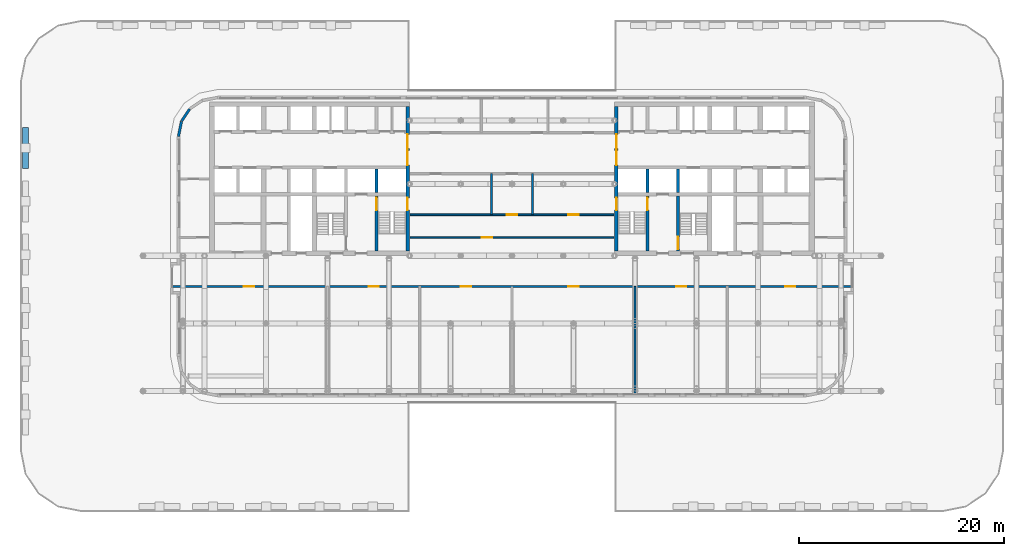
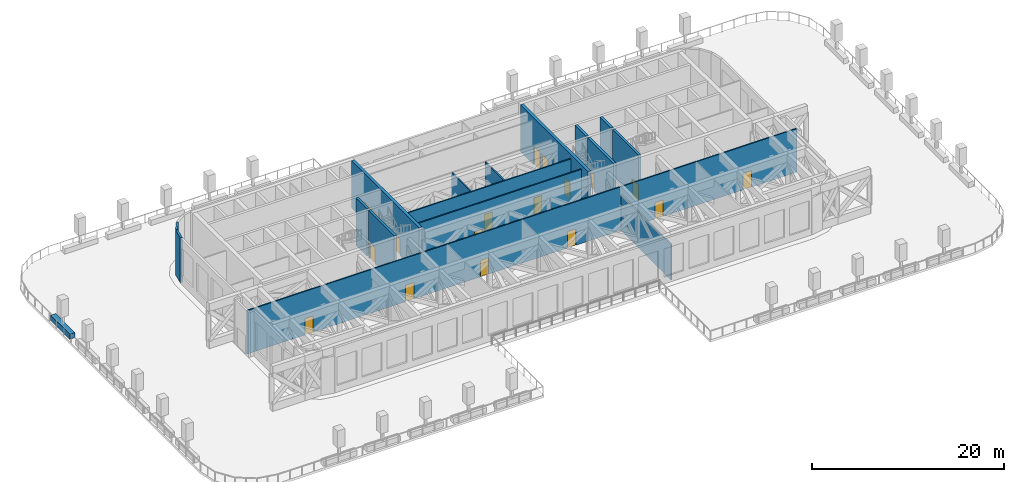
# One storey, part 11 of 20: 18 doors, 17 walls, 18 openings.
"""IFC4 building model written with IfcOpenShell, lengths in metres."""

import ifcopenshell
import ifcopenshell.guid

model = None  # the IFC model being written
_history = None  # IfcOwnerHistory: only IFC2X3 demands one
_inside = {}  # id of a spatial element -> (the spatial element, [elements in it])
_under = {}  # id of a project, library or spatial element -> (it, [spatial elements below it])
_declared = {}  # id of a project -> (the project, [libraries it declares])
_typed = {}  # id of a type object -> (the type object, [elements of that type])
_made_of = {}  # id of a material, layer set ... -> (it, [elements and type objects made of it])


def new_model(schema):
    """Start an empty IFC model of exactly this schema.

    Asked for "IFC4X3", IfcOpenShell would pick the latest addendum, in which some entities
    have other attributes; the version numbers below select the first issue.
    IFC2X3 requires an IfcOwnerHistory on every rooted entity: one is made here for all.
    """
    global model, _history
    if schema == "IFC4X3":
        model = ifcopenshell.file(schema_version=(4, 3, 0, 0))
    else:
        model = ifcopenshell.file(schema=schema)
    _inside.clear()
    _under.clear()
    _declared.clear()
    _typed.clear()
    _made_of.clear()
    _history = None
    if model.schema == "IFC2X3":
        org = make("IfcOrganization", Name="unknown")
        user = make(
            "IfcPersonAndOrganization",
            ThePerson=make("IfcPerson", FamilyName="unknown"),
            TheOrganization=org,
        )
        app = make(
            "IfcApplication",
            ApplicationDeveloper=org,
            Version="unknown",
            ApplicationFullName="unknown",
            ApplicationIdentifier="unknown",
        )
        _history = make(
            "IfcOwnerHistory",
            OwningUser=user,
            OwningApplication=app,
            ChangeAction="ADDED",
            CreationDate=0,
        )
    return model


def make(cls, **values):
    """One entity of the class cls with the attributes given. An attribute that is None is left unset."""
    return model.create_entity(
        cls, **{name: value for name, value in values.items() if value is not None}
    )


def rooted(cls, **values):
    """An entity with a GlobalId (a new one), such as an element, a storey or a relation."""
    return make(cls, GlobalId=ifcopenshell.guid.new(), OwnerHistory=_history, **values)


def si_unit(unit_type, name, prefix=None):
    """IfcSIUnit, for example si_unit("LENGTHUNIT", "METRE", prefix="MILLI")."""
    return make("IfcSIUnit", UnitType=unit_type, Prefix=prefix, Name=name)


def assignment(units):
    """IfcUnitAssignment: the units of a project."""
    return None if units is None else make("IfcUnitAssignment", Units=units)


def point(xyz):
    """IfcCartesianPoint."""
    return None if xyz is None else make("IfcCartesianPoint", Coordinates=xyz)


def direction(xyz):
    """IfcDirection."""
    return None if xyz is None else make("IfcDirection", DirectionRatios=xyz)


def frame(location, z_axis=None, x_axis=None):
    """IfcAxis2Placement3D, a coordinate frame: its origin and axes. An axis left out is left unset."""
    return make(
        "IfcAxis2Placement3D",
        Location=point(location),
        Axis=direction(z_axis),
        RefDirection=direction(x_axis),
    )


def frame_2d(location, x_axis=None):
    """IfcAxis2Placement2D, a coordinate frame in the plane: its origin and x axis."""
    return make(
        "IfcAxis2Placement2D", Location=point(location), RefDirection=direction(x_axis)
    )


def origin():
    """The frame at (0, 0, 0) with its axes left unset."""
    return frame((0.0, 0.0, 0.0))


def place(relative_to, where):
    """IfcLocalPlacement: puts the frame where relative to a parent placement (None: the world)."""
    return make(
        "IfcLocalPlacement", PlacementRelTo=relative_to, RelativePlacement=where
    )


def context(
    kind, dimensions, precision=None, world=None, true_north=None, identifier=None
):
    """IfcGeometricRepresentationContext, for example the 3D "Model" context."""
    return make(
        "IfcGeometricRepresentationContext",
        ContextIdentifier=identifier,
        ContextType=kind,
        CoordinateSpaceDimension=dimensions,
        Precision=precision,
        WorldCoordinateSystem=world,
        TrueNorth=true_north,
    )


def subcontext(parent, identifier, kind, view, scale=None):
    """IfcGeometricRepresentationSubContext, for example "Body" below "Model"."""
    return make(
        "IfcGeometricRepresentationSubContext",
        ContextIdentifier=identifier,
        ContextType=kind,
        ParentContext=parent,
        TargetScale=scale,
        TargetView=view,
    )


def project(units=None, contexts=None):
    """IfcProject with its units and contexts."""
    return rooted(
        "IfcProject",
        Name="project",
        RepresentationContexts=contexts,
        UnitsInContext=assignment(units),
    )


def spatial(cls, under=None, at=None, **own):
    """A site, building, storey or space (cls), placed at a placement, below another one or the project."""
    s = rooted(cls, ObjectPlacement=at, **own)
    if under is not None:
        _under.setdefault(under.id(), (under, []))[1].append(s)
    return s


def profile(cls, at=None, kind="AREA", **sizes):
    """A parametric profile (cls). Its sizes go by their IFC names, for example OverallWidth=200.0."""
    return make(cls, ProfileType=kind, Position=at, **sizes)


def rectangle(**sizes):
    """IfcRectangleProfileDef."""
    return profile("IfcRectangleProfileDef", **sizes)


def extrude(swept, where, along, depth):
    """IfcExtrudedAreaSolid: the profile swept, set in the frame where, extruded along a direction by depth."""
    return make(
        "IfcExtrudedAreaSolid",
        SweptArea=swept,
        Position=where,
        ExtrudedDirection=direction(along),
        Depth=depth,
    )


def shape(context_of_items, identifier, shape_type, items):
    """IfcShapeRepresentation: the items that make up one representation, for example the "Body"."""
    return make(
        "IfcShapeRepresentation",
        ContextOfItems=context_of_items,
        RepresentationIdentifier=identifier,
        RepresentationType=shape_type,
        Items=items,
    )


def material(Name=None, Category=None):
    """IfcMaterial."""
    return make("IfcMaterial", Name=Name, Category=Category)


def layer(
    of_material, thickness, ventilated=None, Name=None, Category=None, Priority=None
):
    """IfcMaterialLayer: one layer of a wall or slab, of a material (None: an air gap)."""
    return make(
        "IfcMaterialLayer",
        Material=of_material,
        LayerThickness=thickness,
        IsVentilated=ventilated,
        Name=Name,
        Category=Category,
        Priority=Priority,
    )


def layer_set(layers, Name=None):
    """IfcMaterialLayerSet."""
    return make("IfcMaterialLayerSet", MaterialLayers=layers, LayerSetName=Name)


def made_of(thing, what):
    """Note that an element or type object is made of a material, layer set ...; save() writes the relation."""
    if what is not None:
        _made_of.setdefault(what.id(), (what, []))[1].append(thing)
    return thing


def type_object(cls, material=None, **own):
    """A type object (cls), such as IfcWallType, which elements share."""
    return made_of(rooted(cls, **own), material)


def element(
    cls,
    number,
    at=None,
    inside=None,
    cuts=None,
    type_object=None,
    material=None,
    context=None,
    identifier="Body",
    shape_type=None,
    held_by="IfcProductDefinitionShape",
    body=None,
    shapes=None,
    **own,
):
    """One element of the class cls, such as IfcWall. Its Tag is "e" and its number.

    at: its placement. inside: the storey or other place that contains it. cuts: it is an
    opening in that element (IfcRelVoidsElement). A single representation is given by context,
    identifier, shape_type and body (its items); several are given by shapes. held_by: the class
    of the entity that holds the representations. save() writes the other relations.
    """
    e = rooted(cls, Tag="e%d" % number, ObjectPlacement=at, **own)
    if body is not None:
        shapes = [shape(context, identifier, shape_type, body)]
    if shapes is not None:
        e.Representation = make(held_by, Representations=shapes)
    if inside is not None:
        _inside.setdefault(inside.id(), (inside, []))[1].append(e)
    if cuts is not None:
        rooted(
            "IfcRelVoidsElement", RelatingBuildingElement=cuts, RelatedOpeningElement=e
        )
    if type_object is not None:
        _typed.setdefault(type_object.id(), (type_object, []))[1].append(e)
    return made_of(e, material)


def fill(opening, filler):
    """IfcRelFillsElement: the door or window that sits in an opening."""
    return rooted(
        "IfcRelFillsElement",
        RelatingOpeningElement=opening,
        RelatedBuildingElement=filler,
    )


def aggregate(whole, parts):
    """IfcRelAggregates: a whole, such as a stair, and the parts it consists of."""
    return rooted("IfcRelAggregates", RelatingObject=whole, RelatedObjects=parts)


def save(model, path):
    """Write the relations noted so far, then the file.

    IfcRelAggregates (storeys below a building ...), IfcRelContainedInSpatialStructure (elements
    in a storey), IfcRelDefinesByType, IfcRelAssociatesMaterial and IfcRelDeclares: one each for
    every whole, place, type object, material and project.
    """
    for whole, parts in _under.values():
        aggregate(whole, parts)
    for where, things in _inside.values():
        rooted(
            "IfcRelContainedInSpatialStructure",
            RelatedElements=things,
            RelatingStructure=where,
        )
    for kind, things in _typed.values():
        rooted("IfcRelDefinesByType", RelatedObjects=things, RelatingType=kind)
    for what, things in _made_of.values():
        rooted("IfcRelAssociatesMaterial", RelatedObjects=things, RelatingMaterial=what)
    for by, libraries in _declared.values():
        rooted("IfcRelDeclares", RelatingContext=by, RelatedDefinitions=libraries)
    model.write(path)


model = new_model("IFC4")

# Units and contexts
model_context = context("Model", 3, precision=1e-05, world=origin(), true_north=direction((0.0, 1.0)))
body_context = subcontext(model_context, "Body", "Model", "MODEL_VIEW")
ifc_project = project(units=[si_unit("LENGTHUNIT", "METRE"), si_unit("AREAUNIT", "SQUARE_METRE"), si_unit("VOLUMEUNIT", "CUBIC_METRE"), si_unit("PLANEANGLEUNIT", "RADIAN"), si_unit("MASSUNIT", "GRAM", prefix="KILO")], contexts=[model_context])

# Site, building, storey
site_placement = place(None, origin())
site = spatial("IfcSite", under=ifc_project, at=site_placement, CompositionType="ELEMENT")
building_placement = place(site_placement, origin())
building = spatial("IfcBuilding", under=site, at=building_placement, Name="Torana Hotel and Residences", CompositionType="ELEMENT")
storey_placement = place(building_placement, frame((0.0, 0.0, 18.0)))
storey = spatial("IfcBuildingStorey", under=building, at=storey_placement, Name="L03", CompositionType="ELEMENT", Elevation=18.0)

# Wall
ifc_material_1 = material(Name="Concrete C80/95", Category="concrete")
ifc_layer_1 = layer(ifc_material_1, 0.300048828125)
ifc_layer_set_1 = layer_set([ifc_layer_1], Name="CORE WALL 300 C80/95")
wall_type_1 = type_object("IfcWallType", Name="CORE WALL 300 C80/95", PredefinedType="SHEAR", material=ifc_layer_set_1)
wall_1_placement = place(storey_placement, frame((-13.199951171875, -8.85009765625, 0.0), z_axis=(0.0, 0.0, 1.0), x_axis=(0.0, 1.0, 0.0)))
element("IfcWall", 1, at=wall_1_placement, inside=storey, type_object=wall_type_1, Name="Core wall W x3.05-S", PredefinedType="SHEAR", context=body_context, shape_type="SweptSolid", body=[
    extrude(rectangle(XDim=2.300048828125, YDim=0.300048828125, at=frame_2d((1.14990234375, 0.0))), origin(), (0.0, 0.0, 1.0), 6.0),
])

# Wall, opening, door
wall_2_placement = place(storey_placement, frame((-13.199951171875, -14.550048828125, 0.0), z_axis=(0.0, 0.0, 1.0), x_axis=(0.0, 1.0, 0.0)))
wall_2 = element("IfcWall", 2, at=wall_2_placement, inside=storey, type_object=wall_type_1, Name="Core wall W x3.05-band", PredefinedType="SHEAR", context=body_context, shape_type="SweptSolid", body=[
    extrude(rectangle(XDim=5.400146484375, YDim=0.300048828125, at=frame_2d((2.7001953125, 0.0))), origin(), (0.0, 0.0, 1.0), 6.0),
])
opening_1_placement = place(wall_2_placement, frame((4.0, 0.0, 0.0)))
opening_1 = element("IfcOpeningElement", 3, at=opening_1_placement, cuts=wall_2, Name="Opening L03-16", PredefinedType="OPENING", context=body_context, shape_type="SweptSolid", body=[
    extrude(rectangle(XDim=1.199951171875, YDim=2.10009765625, at=frame_2d((0.60009765625, 1.050048828125))), frame((0.0, 0.159912109375, 0.0), z_axis=(0.0, -1.0, 0.0), x_axis=(1.0, 0.0, 0.0)), (0.0, 0.0, 1.0), 0.320068359375),
])
ifc_material_2 = material(Name="Steel S235", Category="steel")
door_type_1 = type_object("IfcDoorType", Name="STAIR FIRE DOOR D3 1200x2100", OperationType="SINGLE_SWING_LEFT", PredefinedType="DOOR", material=ifc_material_2)
door_1_placement = place(opening_1_placement, frame((0.60009765625, 0.0, 0.0), z_axis=(0.0, 0.0, 1.0), x_axis=(-1.0, 0.0, 0.0)))
door_1 = element("IfcDoor", 4, at=door_1_placement, inside=storey, type_object=door_type_1, Name="Stair-A-lobby door L03", OperationType="SINGLE_SWING_RIGHT", OverallHeight=2.10009765625, OverallWidth=1.199951171875, PredefinedType="DOOR", context=body_context, shape_type="SweptSolid", body=[
    extrude(rectangle(XDim=1.199951171875, YDim=2.10009765625, at=frame_2d((0.0, 1.050048828125))), frame((0.0, -0.02490234375, 0.0), z_axis=(0.0, 1.0, 0.0), x_axis=(-1.0, 0.0, 0.0)), (0.0, 0.0, 1.0), 0.050048828125),
])
fill(opening_1, door_1)

# Wall
wall_3_placement = place(storey_placement, frame((13.199951171875, -8.85009765625, 0.0), z_axis=(0.0, 0.0, 1.0), x_axis=(0.0, 1.0, 0.0)))
element("IfcWall", 5, at=wall_3_placement, inside=storey, type_object=wall_type_1, Name="Core wall E x3.05-S", PredefinedType="SHEAR", context=body_context, shape_type="SweptSolid", body=[
    extrude(rectangle(XDim=2.300048828125, YDim=0.300048828125, at=frame_2d((1.14990234375, 0.0))), origin(), (0.0, 0.0, 1.0), 6.0),
])

# Wall, opening, door
wall_4_placement = place(storey_placement, frame((13.199951171875, -14.550048828125, 0.0), z_axis=(0.0, 0.0, 1.0), x_axis=(0.0, 1.0, 0.0)))
wall_4 = element("IfcWall", 6, at=wall_4_placement, inside=storey, type_object=wall_type_1, Name="Core wall E x3.05-band", PredefinedType="SHEAR", context=body_context, shape_type="SweptSolid", body=[
    extrude(rectangle(XDim=5.400146484375, YDim=0.300048828125, at=frame_2d((2.7001953125, 0.0))), origin(), (0.0, 0.0, 1.0), 6.0),
])
opening_2_placement = place(wall_4_placement, frame((4.0, 0.0, 0.0)))
opening_2 = element("IfcOpeningElement", 7, at=opening_2_placement, cuts=wall_4, Name="Opening L03-33", PredefinedType="OPENING", context=body_context, shape_type="SweptSolid", body=[
    extrude(rectangle(XDim=1.199951171875, YDim=2.10009765625, at=frame_2d((0.60009765625, 1.050048828125))), frame((0.0, 0.159912109375, 0.0), z_axis=(0.0, -1.0, 0.0), x_axis=(1.0, 0.0, 0.0)), (0.0, 0.0, 1.0), 0.320068359375),
])
door_2_placement = place(opening_2_placement, origin())
door_2 = element("IfcDoor", 8, at=door_2_placement, inside=storey, type_object=door_type_1, Name="Stair-A-lobby door L03", OperationType="SINGLE_SWING_LEFT", OverallHeight=2.10009765625, OverallWidth=1.199951171875, PredefinedType="DOOR", context=body_context, shape_type="SweptSolid", body=[
    extrude(rectangle(XDim=1.199951171875, YDim=2.10009765625, at=frame_2d((0.60009765625, 1.050048828125))), frame((0.0, 0.02490234375, 0.0), z_axis=(0.0, -1.0, 0.0), x_axis=(1.0, 0.0, 0.0)), (0.0, 0.0, 1.0), 0.050048828125),
])
fill(opening_2, door_2)

# Wall
wall_5_placement = place(storey_placement, frame((16.199951171875, -8.85009765625, 0.0), z_axis=(0.0, 0.0, 1.0), x_axis=(0.0, 1.0, 0.0)))
element("IfcWall", 9, at=wall_5_placement, inside=storey, type_object=wall_type_1, Name="Core wall E x6.05-S", PredefinedType="SHEAR", context=body_context, shape_type="SweptSolid", body=[
    extrude(rectangle(XDim=2.300048828125, YDim=0.300048828125, at=frame_2d((1.14990234375, 0.0))), origin(), (0.0, 0.0, 1.0), 6.0),
])

# Wall, opening, door
wall_6_placement = place(storey_placement, frame((16.199951171875, -14.550048828125, 0.0), z_axis=(0.0, 0.0, 1.0), x_axis=(0.0, 1.0, 0.0)))
wall_6 = element("IfcWall", 10, at=wall_6_placement, inside=storey, type_object=wall_type_1, Name="Core wall E x6.05-band", PredefinedType="SHEAR", context=body_context, shape_type="SweptSolid", body=[
    extrude(rectangle(XDim=5.400146484375, YDim=0.300048828125, at=frame_2d((2.7001953125, 0.0))), origin(), (0.0, 0.0, 1.0), 6.0),
])
opening_3_placement = place(wall_6_placement, frame((0.199951171875, 0.0, 0.0)))
opening_3 = element("IfcOpeningElement", 11, at=opening_3_placement, cuts=wall_6, Name="Opening L03-34", PredefinedType="OPENING", context=body_context, shape_type="SweptSolid", body=[
    extrude(rectangle(XDim=1.199951171875, YDim=2.10009765625, at=frame_2d((0.60009765625, 1.050048828125))), frame((0.0, 0.159912109375, 0.0), z_axis=(0.0, -1.0, 0.0), x_axis=(1.0, 0.0, 0.0)), (0.0, 0.0, 1.0), 0.320068359375),
])
door_3_placement = place(opening_3_placement, frame((0.60009765625, 0.0, 0.0), z_axis=(0.0, 0.0, 1.0), x_axis=(-1.0, 0.0, 0.0)))
door_3 = element("IfcDoor", 12, at=door_3_placement, inside=storey, type_object=door_type_1, Name="Stair-B-lobby door L03", OperationType="SINGLE_SWING_LEFT", OverallHeight=2.10009765625, OverallWidth=1.199951171875, PredefinedType="DOOR", context=body_context, shape_type="SweptSolid", body=[
    extrude(rectangle(XDim=1.199951171875, YDim=2.10009765625, at=frame_2d((0.0, 1.050048828125))), frame((0.0, -0.02490234375, 0.0), z_axis=(0.0, 1.0, 0.0), x_axis=(-1.0, 0.0, 0.0)), (0.0, 0.0, 1.0), 0.050048828125),
])
fill(opening_3, door_3)

# Wall, openings, doors
ifc_material_3 = material(Name="Concrete C80/95", Category="concrete")
ifc_layer_2 = layer(ifc_material_3, 0.35009765625)
ifc_layer_set_2 = layer_set([ifc_layer_2], Name="CORE WALL 350 C80/95")
wall_type_2 = type_object("IfcWallType", Name="CORE WALL 350 C80/95", PredefinedType="SHEAR", material=ifc_layer_set_2)
wall_7_placement = place(storey_placement, frame((-10.175048828125, -14.550048828125, 0.0), z_axis=(0.0, 0.0, 1.0), x_axis=(0.0, 1.0, 0.0)))
wall_7 = element("IfcWall", 13, at=wall_7_placement, inside=storey, type_object=wall_type_2, Name="Core wall W arch", PredefinedType="SHEAR", context=body_context, shape_type="SweptSolid", body=[
    extrude(rectangle(XDim=14.10009765625, YDim=0.35009765625, at=frame_2d((7.050048828125, 0.0))), origin(), (0.0, 0.0, 1.0), 6.0),
])
opening_4_placement = place(wall_7_placement, frame((8.39990234375, 0.0, 0.0)))
opening_4 = element("IfcOpeningElement", 14, at=opening_4_placement, cuts=wall_7, Name="Opening L03-01", PredefinedType="OPENING", context=body_context, shape_type="SweptSolid", body=[
    extrude(rectangle(XDim=1.39990234375, YDim=2.39990234375, at=frame_2d((0.699951171875, 1.199951171875))), frame((0.0, 0.18505859375, 0.0), z_axis=(0.0, -1.0, 0.0), x_axis=(1.0, 0.0, 0.0)), (0.0, 0.0, 1.0), 0.3701171875),
])
opening_5_placement = place(wall_7_placement, frame((10.0, 0.0, 0.0)))
opening_5 = element("IfcOpeningElement", 15, at=opening_5_placement, cuts=wall_7, Name="Opening L03-02", PredefinedType="OPENING", context=body_context, shape_type="SweptSolid", body=[
    extrude(rectangle(XDim=1.39990234375, YDim=2.39990234375, at=frame_2d((0.699951171875, 1.199951171875))), frame((0.0, 0.18505859375, 0.0), z_axis=(0.0, -1.0, 0.0), x_axis=(1.0, 0.0, 0.0)), (0.0, 0.0, 1.0), 0.3701171875),
])
opening_6_placement = place(wall_7_placement, frame((4.0, 0.0, 0.0)))
opening_6 = element("IfcOpeningElement", 16, at=opening_6_placement, cuts=wall_7, Name="Opening L03-03", PredefinedType="OPENING", context=body_context, shape_type="SweptSolid", body=[
    extrude(rectangle(XDim=1.199951171875, YDim=2.10009765625, at=frame_2d((0.60009765625, 1.050048828125))), frame((0.0, 0.18505859375, 0.0), z_axis=(0.0, -1.0, 0.0), x_axis=(1.0, 0.0, 0.0)), (0.0, 0.0, 1.0), 0.3701171875),
])
ifc_material_4 = material(Name="Steel S235", Category="steel")
door_type_2 = type_object("IfcDoorType", Name="LOBBY FIRE DOOR D4 1400x2400", OperationType="DOUBLE_DOOR_SINGLE_SWING", PredefinedType="DOOR", material=ifc_material_4)
door_4_placement = place(opening_4_placement, origin())
door_4 = element("IfcDoor", 17, at=door_4_placement, inside=storey, type_object=door_type_2, Name="Lobby-1 door L03", OperationType="DOUBLE_DOOR_SINGLE_SWING", OverallHeight=2.39990234375, OverallWidth=1.39990234375, PredefinedType="DOOR", context=body_context, shape_type="SweptSolid", body=[
    extrude(rectangle(XDim=1.39990234375, YDim=2.39990234375, at=frame_2d((0.699951171875, 1.199951171875))), frame((0.0, 0.02490234375, 0.0), z_axis=(0.0, -1.0, 0.0), x_axis=(1.0, 0.0, 0.0)), (0.0, 0.0, 1.0), 0.050048828125),
])
fill(opening_4, door_4)
door_5_placement = place(opening_5_placement, origin())
door_5 = element("IfcDoor", 18, at=door_5_placement, inside=storey, type_object=door_type_2, Name="Lobby-2 door L03", OperationType="DOUBLE_DOOR_SINGLE_SWING", OverallHeight=2.39990234375, OverallWidth=1.39990234375, PredefinedType="DOOR", context=body_context, shape_type="SweptSolid", body=[
    extrude(rectangle(XDim=1.39990234375, YDim=2.39990234375, at=frame_2d((0.699951171875, 1.199951171875))), frame((0.0, 0.02490234375, 0.0), z_axis=(0.0, -1.0, 0.0), x_axis=(1.0, 0.0, 0.0)), (0.0, 0.0, 1.0), 0.050048828125),
])
fill(opening_5, door_5)
door_6_placement = place(opening_6_placement, origin())
door_6 = element("IfcDoor", 19, at=door_6_placement, inside=storey, type_object=door_type_1, Name="Stair-A door L03", OperationType="SINGLE_SWING_LEFT", OverallHeight=2.10009765625, OverallWidth=1.199951171875, PredefinedType="DOOR", context=body_context, shape_type="SweptSolid", body=[
    extrude(rectangle(XDim=1.199951171875, YDim=2.10009765625, at=frame_2d((0.60009765625, 1.050048828125))), frame((0.0, 0.02490234375, 0.0), z_axis=(0.0, -1.0, 0.0), x_axis=(1.0, 0.0, 0.0)), (0.0, 0.0, 1.0), 0.050048828125),
])
fill(opening_6, door_6)

wall_8_placement = place(storey_placement, frame((10.175048828125, -14.550048828125, 0.0), z_axis=(0.0, 0.0, 1.0), x_axis=(0.0, 1.0, 0.0)))
wall_8 = element("IfcWall", 20, at=wall_8_placement, inside=storey, type_object=wall_type_2, Name="Core wall E arch", PredefinedType="SHEAR", context=body_context, shape_type="SweptSolid", body=[
    extrude(rectangle(XDim=14.10009765625, YDim=0.35009765625, at=frame_2d((7.050048828125, 0.0))), origin(), (0.0, 0.0, 1.0), 6.0),
])
opening_7_placement = place(wall_8_placement, frame((8.39990234375, 0.0, 0.0)))
opening_7 = element("IfcOpeningElement", 21, at=opening_7_placement, cuts=wall_8, Name="Opening L03-18", PredefinedType="OPENING", context=body_context, shape_type="SweptSolid", body=[
    extrude(rectangle(XDim=1.39990234375, YDim=2.39990234375, at=frame_2d((0.699951171875, 1.199951171875))), frame((0.0, 0.18505859375, 0.0), z_axis=(0.0, -1.0, 0.0), x_axis=(1.0, 0.0, 0.0)), (0.0, 0.0, 1.0), 0.3701171875),
])
opening_8_placement = place(wall_8_placement, frame((10.0, 0.0, 0.0)))
opening_8 = element("IfcOpeningElement", 22, at=opening_8_placement, cuts=wall_8, Name="Opening L03-19", PredefinedType="OPENING", context=body_context, shape_type="SweptSolid", body=[
    extrude(rectangle(XDim=1.39990234375, YDim=2.39990234375, at=frame_2d((0.699951171875, 1.199951171875))), frame((0.0, 0.18505859375, 0.0), z_axis=(0.0, -1.0, 0.0), x_axis=(1.0, 0.0, 0.0)), (0.0, 0.0, 1.0), 0.3701171875),
])
opening_9_placement = place(wall_8_placement, frame((4.0, 0.0, 0.0)))
opening_9 = element("IfcOpeningElement", 23, at=opening_9_placement, cuts=wall_8, Name="Opening L03-20", PredefinedType="OPENING", context=body_context, shape_type="SweptSolid", body=[
    extrude(rectangle(XDim=1.199951171875, YDim=2.10009765625, at=frame_2d((0.60009765625, 1.050048828125))), frame((0.0, 0.18505859375, 0.0), z_axis=(0.0, -1.0, 0.0), x_axis=(1.0, 0.0, 0.0)), (0.0, 0.0, 1.0), 0.3701171875),
])
door_7_placement = place(opening_7_placement, origin())
door_7 = element("IfcDoor", 24, at=door_7_placement, inside=storey, type_object=door_type_2, Name="Lobby-1 door L03", OperationType="DOUBLE_DOOR_SINGLE_SWING", OverallHeight=2.39990234375, OverallWidth=1.39990234375, PredefinedType="DOOR", context=body_context, shape_type="SweptSolid", body=[
    extrude(rectangle(XDim=1.39990234375, YDim=2.39990234375, at=frame_2d((0.699951171875, 1.199951171875))), frame((0.0, 0.02490234375, 0.0), z_axis=(0.0, -1.0, 0.0), x_axis=(1.0, 0.0, 0.0)), (0.0, 0.0, 1.0), 0.050048828125),
])
fill(opening_7, door_7)
door_8_placement = place(opening_8_placement, origin())
door_8 = element("IfcDoor", 25, at=door_8_placement, inside=storey, type_object=door_type_2, Name="Lobby-2 door L03", OperationType="DOUBLE_DOOR_SINGLE_SWING", OverallHeight=2.39990234375, OverallWidth=1.39990234375, PredefinedType="DOOR", context=body_context, shape_type="SweptSolid", body=[
    extrude(rectangle(XDim=1.39990234375, YDim=2.39990234375, at=frame_2d((0.699951171875, 1.199951171875))), frame((0.0, 0.02490234375, 0.0), z_axis=(0.0, -1.0, 0.0), x_axis=(1.0, 0.0, 0.0)), (0.0, 0.0, 1.0), 0.050048828125),
])
fill(opening_8, door_8)
door_9_placement = place(opening_9_placement, frame((0.60009765625, 0.0, 0.0), z_axis=(0.0, 0.0, 1.0), x_axis=(-1.0, 0.0, 0.0)))
door_9 = element("IfcDoor", 26, at=door_9_placement, inside=storey, type_object=door_type_1, Name="Stair-A door L03", OperationType="SINGLE_SWING_RIGHT", OverallHeight=2.10009765625, OverallWidth=1.199951171875, PredefinedType="DOOR", context=body_context, shape_type="SweptSolid", body=[
    extrude(rectangle(XDim=1.199951171875, YDim=2.10009765625, at=frame_2d((0.0, 1.050048828125))), frame((0.0, -0.02490234375, 0.0), z_axis=(0.0, 1.0, 0.0), x_axis=(-1.0, 0.0, 0.0)), (0.0, 0.0, 1.0), 0.050048828125),
])
fill(opening_9, door_9)

# Walls
ifc_material_5 = material(Name="Aluminium louvre wall", Category="aluminium")
ifc_layer_3 = layer(ifc_material_5, 0.25)
ifc_layer_set_3 = layer_set([ifc_layer_3], Name="EW3 LOUVRE WALL 250")
wall_type_3 = type_object("IfcWallType", Name="EW3 LOUVRE WALL 250", PredefinedType="SOLIDWALL", material=ifc_layer_set_3)
wall_9_placement = place(storey_placement, frame((-31.447265625, -0.687255859375, 0.0), z_axis=(0.0, 0.0, 1.0), x_axis=(-0.555543083115, -0.831487752648, 0.0)))
element("IfcWall", 27, at=wall_9_placement, inside=storey, type_object=wall_type_3, Name="Louvre wall L03 e0.7", PredefinedType="SOLIDWALL", context=body_context, shape_type="SweptSolid", body=[
    extrude(rectangle(XDim=1.4033203125, YDim=0.25, at=frame_2d((0.70166015625, 0.0))), origin(), (0.0, 0.0, 1.0), 5.719970703125),
])
wall_10_placement = place(storey_placement, frame((-32.24560546875, -1.899169921875, 0.0), z_axis=(0.0, 0.0, 1.0), x_axis=(-0.195014837095, -0.980800292268, 0.0)))
element("IfcWall", 28, at=wall_10_placement, inside=storey, type_object=wall_type_3, Name="Louvre wall L03 e0.8", PredefinedType="SOLIDWALL", context=body_context, shape_type="SweptSolid", body=[
    extrude(rectangle(XDim=1.4921875, YDim=0.25, at=frame_2d((0.74609375, 0.0))), origin(), (0.0, 0.0, 1.0), 5.719970703125),
])
ifc_material_6 = material(Name="Gypsum plaster")
ifc_layer_4 = layer(ifc_material_6, 0.014892578125, Name="Plaster", Category="finish")
ifc_material_7 = material(Name="Concrete blockwork", Category="masonry")
ifc_layer_5 = layer(ifc_material_7, 0.1201171875, Name="Blockwork", Category="structure")
ifc_layer_6 = layer(ifc_material_6, 0.014892578125, Name="Plaster", Category="finish")
ifc_layer_set_4 = layer_set([ifc_layer_4, ifc_layer_5, ifc_layer_6], Name="FIRE PARTITION 150 BLOCKWORK")
wall_type_4 = type_object("IfcWallType", Name="FIRE PARTITION 150 BLOCKWORK", PredefinedType="PARTITIONING", material=ifc_layer_set_4)
for number, where, z_axis, x_axis, name in (
    (29, (2.0, -11.0, 0.0), (0.0, 0.0, 1.0), (0.0, 1.0, 0.0), "Partition L03"),
    (30, (-2.0, -11.0, 0.0), (0.0, 0.0, 1.0), (0.0, 1.0, 0.0), "Partition L03"),
):
    element("IfcWall", number, at=place(storey_placement, frame(where, z_axis=z_axis, x_axis=x_axis)), inside=storey, type_object=wall_type_4, Name=name, PredefinedType="PARTITIONING", context=body_context, shape_type="SweptSolid", body=[
        extrude(rectangle(XDim=4.0, YDim=0.14990234375, at=frame_2d((2.0, 0.0))), origin(), (0.0, 0.0, 1.0), 5.550048828125),
    ])

# Wall, openings, doors
wall_11_placement = place(storey_placement, frame((-33.1201171875, -18.0, 0.0), z_axis=(0.0, 0.0, 1.0), x_axis=(1.0, 0.0, 0.0)))
wall_11 = element("IfcWall", 31, at=wall_11_placement, inside=storey, type_object=wall_type_4, Name="Partition L03", PredefinedType="PARTITIONING", context=body_context, shape_type="SweptSolid", body=[
    extrude(rectangle(XDim=66.240234375, YDim=0.14990234375, at=frame_2d((33.1201171875, 0.0))), origin(), (0.0, 0.0, 1.0), 5.550048828125),
])
opening_10_placement = place(wall_11_placement, frame((6.969970703125, 0.0, 0.0)))
opening_10 = element("IfcOpeningElement", 32, at=opening_10_placement, cuts=wall_11, Name="Opening L03-40", PredefinedType="OPENING", context=body_context, shape_type="SweptSolid", body=[
    extrude(rectangle(XDim=1.0, YDim=2.10009765625, at=frame_2d((0.5, 1.050048828125))), frame((0.0, 0.0849609375, 0.0), z_axis=(0.0, -1.0, 0.0), x_axis=(1.0, 0.0, 0.0)), (0.0, 0.0, 1.0), 0.169921875),
])
opening_11_placement = place(wall_11_placement, frame((19.1201171875, 0.0, 0.0)))
opening_11 = element("IfcOpeningElement", 33, at=opening_11_placement, cuts=wall_11, Name="Opening L03-41", PredefinedType="OPENING", context=body_context, shape_type="SweptSolid", body=[
    extrude(rectangle(XDim=1.0, YDim=2.10009765625, at=frame_2d((0.5, 1.050048828125))), frame((0.0, 0.0849609375, 0.0), z_axis=(0.0, -1.0, 0.0), x_axis=(1.0, 0.0, 0.0)), (0.0, 0.0, 1.0), 0.169921875),
])
opening_12_placement = place(wall_11_placement, frame((28.1201171875, 0.0, 0.0)))
opening_12 = element("IfcOpeningElement", 34, at=opening_12_placement, cuts=wall_11, Name="Opening L03-42", PredefinedType="OPENING", context=body_context, shape_type="SweptSolid", body=[
    extrude(rectangle(XDim=1.0, YDim=2.10009765625, at=frame_2d((0.5, 1.050048828125))), frame((0.0, 0.0849609375, 0.0), z_axis=(0.0, -1.0, 0.0), x_axis=(1.0, 0.0, 0.0)), (0.0, 0.0, 1.0), 0.169921875),
])
opening_13_placement = place(wall_11_placement, frame((38.6201171875, 0.0, 0.0)))
opening_13 = element("IfcOpeningElement", 35, at=opening_13_placement, cuts=wall_11, Name="Opening L03-43", PredefinedType="OPENING", context=body_context, shape_type="SweptSolid", body=[
    extrude(rectangle(XDim=1.0, YDim=2.10009765625, at=frame_2d((0.5, 1.050048828125))), frame((0.0, 0.0849609375, 0.0), z_axis=(0.0, -1.0, 0.0), x_axis=(1.0, 0.0, 0.0)), (0.0, 0.0, 1.0), 0.169921875),
])
opening_14_placement = place(wall_11_placement, frame((49.1201171875, 0.0, 0.0)))
opening_14 = element("IfcOpeningElement", 36, at=opening_14_placement, cuts=wall_11, Name="Opening L03-44", PredefinedType="OPENING", context=body_context, shape_type="SweptSolid", body=[
    extrude(rectangle(XDim=1.0, YDim=2.10009765625, at=frame_2d((0.5, 1.050048828125))), frame((0.0, 0.0849609375, 0.0), z_axis=(0.0, -1.0, 0.0), x_axis=(1.0, 0.0, 0.0)), (0.0, 0.0, 1.0), 0.169921875),
])
opening_15_placement = place(wall_11_placement, frame((59.77001953125, 0.0, 0.0)))
opening_15 = element("IfcOpeningElement", 37, at=opening_15_placement, cuts=wall_11, Name="Opening L03-45", PredefinedType="OPENING", context=body_context, shape_type="SweptSolid", body=[
    extrude(rectangle(XDim=1.0, YDim=2.10009765625, at=frame_2d((0.5, 1.050048828125))), frame((0.0, 0.0849609375, 0.0), z_axis=(0.0, -1.0, 0.0), x_axis=(1.0, 0.0, 0.0)), (0.0, 0.0, 1.0), 0.169921875),
])
ifc_material_8 = material(Name="Steel S235", Category="steel")
door_type_3 = type_object("IfcDoorType", Name="ENTRY FIRE DOOR D6 1000x2100", OperationType="SINGLE_SWING_LEFT", PredefinedType="DOOR", material=ifc_material_8)
door_10_placement = place(opening_10_placement, frame((0.5, 0.0, 0.0), z_axis=(0.0, 0.0, 1.0), x_axis=(-1.0, 0.0, 0.0)))
door_10 = element("IfcDoor", 38, at=door_10_placement, inside=storey, type_object=door_type_3, Name="Door L03", OperationType="SINGLE_SWING_LEFT", OverallHeight=2.10009765625, OverallWidth=1.0, PredefinedType="DOOR", context=body_context, shape_type="SweptSolid", body=[
    extrude(rectangle(XDim=1.0, YDim=2.10009765625, at=frame_2d((0.0, 1.050048828125))), frame((0.0, -0.02490234375, 0.0), z_axis=(0.0, 1.0, 0.0), x_axis=(-1.0, 0.0, 0.0)), (0.0, 0.0, 1.0), 0.050048828125),
])
fill(opening_10, door_10)
door_11_placement = place(opening_11_placement, frame((0.5, 0.0, 0.0), z_axis=(0.0, 0.0, 1.0), x_axis=(-1.0, 0.0, 0.0)))
door_11 = element("IfcDoor", 39, at=door_11_placement, inside=storey, type_object=door_type_3, Name="Door L03", OperationType="SINGLE_SWING_LEFT", OverallHeight=2.10009765625, OverallWidth=1.0, PredefinedType="DOOR", context=body_context, shape_type="SweptSolid", body=[
    extrude(rectangle(XDim=1.0, YDim=2.10009765625, at=frame_2d((0.0, 1.050048828125))), frame((0.0, -0.02490234375, 0.0), z_axis=(0.0, 1.0, 0.0), x_axis=(-1.0, 0.0, 0.0)), (0.0, 0.0, 1.0), 0.050048828125),
])
fill(opening_11, door_11)
door_12_placement = place(opening_12_placement, frame((0.5, 0.0, 0.0), z_axis=(0.0, 0.0, 1.0), x_axis=(-1.0, 0.0, 0.0)))
door_12 = element("IfcDoor", 40, at=door_12_placement, inside=storey, type_object=door_type_3, Name="Door L03", OperationType="SINGLE_SWING_LEFT", OverallHeight=2.10009765625, OverallWidth=1.0, PredefinedType="DOOR", context=body_context, shape_type="SweptSolid", body=[
    extrude(rectangle(XDim=1.0, YDim=2.10009765625, at=frame_2d((0.0, 1.050048828125))), frame((0.0, -0.02490234375, 0.0), z_axis=(0.0, 1.0, 0.0), x_axis=(-1.0, 0.0, 0.0)), (0.0, 0.0, 1.0), 0.050048828125),
])
fill(opening_12, door_12)
door_13_placement = place(opening_13_placement, frame((0.5, 0.0, 0.0), z_axis=(0.0, 0.0, 1.0), x_axis=(-1.0, 0.0, 0.0)))
door_13 = element("IfcDoor", 41, at=door_13_placement, inside=storey, type_object=door_type_3, Name="Door L03", OperationType="SINGLE_SWING_LEFT", OverallHeight=2.10009765625, OverallWidth=1.0, PredefinedType="DOOR", context=body_context, shape_type="SweptSolid", body=[
    extrude(rectangle(XDim=1.0, YDim=2.10009765625, at=frame_2d((0.0, 1.050048828125))), frame((0.0, -0.02490234375, 0.0), z_axis=(0.0, 1.0, 0.0), x_axis=(-1.0, 0.0, 0.0)), (0.0, 0.0, 1.0), 0.050048828125),
])
fill(opening_13, door_13)
door_14_placement = place(opening_14_placement, frame((0.5, 0.0, 0.0), z_axis=(0.0, 0.0, 1.0), x_axis=(-1.0, 0.0, 0.0)))
door_14 = element("IfcDoor", 42, at=door_14_placement, inside=storey, type_object=door_type_3, Name="Door L03", OperationType="SINGLE_SWING_LEFT", OverallHeight=2.10009765625, OverallWidth=1.0, PredefinedType="DOOR", context=body_context, shape_type="SweptSolid", body=[
    extrude(rectangle(XDim=1.0, YDim=2.10009765625, at=frame_2d((0.0, 1.050048828125))), frame((0.0, -0.02490234375, 0.0), z_axis=(0.0, 1.0, 0.0), x_axis=(-1.0, 0.0, 0.0)), (0.0, 0.0, 1.0), 0.050048828125),
])
fill(opening_14, door_14)
door_15_placement = place(opening_15_placement, frame((0.5, 0.0, 0.0), z_axis=(0.0, 0.0, 1.0), x_axis=(-1.0, 0.0, 0.0)))
door_15 = element("IfcDoor", 43, at=door_15_placement, inside=storey, type_object=door_type_3, Name="Door L03", OperationType="SINGLE_SWING_LEFT", OverallHeight=2.10009765625, OverallWidth=1.0, PredefinedType="DOOR", context=body_context, shape_type="SweptSolid", body=[
    extrude(rectangle(XDim=1.0, YDim=2.10009765625, at=frame_2d((0.0, 1.050048828125))), frame((0.0, -0.02490234375, 0.0), z_axis=(0.0, 1.0, 0.0), x_axis=(-1.0, 0.0, 0.0)), (0.0, 0.0, 1.0), 0.050048828125),
])
fill(opening_15, door_15)

# Wall, opening, door
wall_12_placement = place(storey_placement, frame((-9.949951171875, -13.199951171875, 0.0), z_axis=(0.0, 0.0, 1.0), x_axis=(1.0, 0.0, 0.0)))
wall_12 = element("IfcWall", 44, at=wall_12_placement, inside=storey, type_object=wall_type_4, Name="Partition L03", PredefinedType="PARTITIONING", context=body_context, shape_type="SweptSolid", body=[
    extrude(rectangle(XDim=19.89990234375, YDim=0.14990234375, at=frame_2d((9.949951171875, 0.0))), origin(), (0.0, 0.0, 1.0), 5.550048828125),
])
opening_16_placement = place(wall_12_placement, frame((7.0, 0.0, 0.0)))
opening_16 = element("IfcOpeningElement", 45, at=opening_16_placement, cuts=wall_12, Name="Opening L03-39", PredefinedType="OPENING", context=body_context, shape_type="SweptSolid", body=[
    extrude(rectangle(XDim=1.0, YDim=2.10009765625, at=frame_2d((0.5, 1.050048828125))), frame((0.0, 0.0849609375, 0.0), z_axis=(0.0, -1.0, 0.0), x_axis=(1.0, 0.0, 0.0)), (0.0, 0.0, 1.0), 0.169921875),
])
door_16_placement = place(opening_16_placement, origin())
door_16 = element("IfcDoor", 46, at=door_16_placement, inside=storey, type_object=door_type_3, Name="Door L03", OperationType="SINGLE_SWING_RIGHT", OverallHeight=2.10009765625, OverallWidth=1.0, PredefinedType="DOOR", context=body_context, shape_type="SweptSolid", body=[
    extrude(rectangle(XDim=1.0, YDim=2.10009765625, at=frame_2d((0.5, 1.050048828125))), frame((0.0, 0.02490234375, 0.0), z_axis=(0.0, -1.0, 0.0), x_axis=(1.0, 0.0, 0.0)), (0.0, 0.0, 1.0), 0.050048828125),
])
fill(opening_16, door_16)

# Wall, openings, doors
wall_13_placement = place(storey_placement, frame((-9.949951171875, -11.0, 0.0), z_axis=(0.0, 0.0, 1.0), x_axis=(1.0, 0.0, 0.0)))
wall_13 = element("IfcWall", 47, at=wall_13_placement, inside=storey, type_object=wall_type_4, Name="Partition L03", PredefinedType="PARTITIONING", context=body_context, shape_type="SweptSolid", body=[
    extrude(rectangle(XDim=19.89990234375, YDim=0.14990234375, at=frame_2d((9.949951171875, 0.0))), origin(), (0.0, 0.0, 1.0), 5.550048828125),
])
opening_17_placement = place(wall_13_placement, frame((9.449951171875, 0.0, 0.0)))
opening_17 = element("IfcOpeningElement", 48, at=opening_17_placement, cuts=wall_13, Name="Opening L03-48", PredefinedType="OPENING", context=body_context, shape_type="SweptSolid", body=[
    extrude(rectangle(XDim=1.0, YDim=2.10009765625, at=frame_2d((0.5, 1.050048828125))), frame((0.0, 0.0849609375, 0.0), z_axis=(0.0, -1.0, 0.0), x_axis=(1.0, 0.0, 0.0)), (0.0, 0.0, 1.0), 0.169921875),
])
opening_18_placement = place(wall_13_placement, frame((15.449951171875, 0.0, 0.0)))
opening_18 = element("IfcOpeningElement", 49, at=opening_18_placement, cuts=wall_13, Name="Opening L03-49", PredefinedType="OPENING", context=body_context, shape_type="SweptSolid", body=[
    extrude(rectangle(XDim=1.0, YDim=2.10009765625, at=frame_2d((0.5, 1.050048828125))), frame((0.0, 0.0849609375, 0.0), z_axis=(0.0, -1.0, 0.0), x_axis=(1.0, 0.0, 0.0)), (0.0, 0.0, 1.0), 0.169921875),
])
door_17_placement = place(opening_17_placement, origin())
door_17 = element("IfcDoor", 50, at=door_17_placement, inside=storey, type_object=door_type_3, Name="Door L03", OperationType="SINGLE_SWING_RIGHT", OverallHeight=2.10009765625, OverallWidth=1.0, PredefinedType="DOOR", context=body_context, shape_type="SweptSolid", body=[
    extrude(rectangle(XDim=1.0, YDim=2.10009765625, at=frame_2d((0.5, 1.050048828125))), frame((0.0, 0.02490234375, 0.0), z_axis=(0.0, -1.0, 0.0), x_axis=(1.0, 0.0, 0.0)), (0.0, 0.0, 1.0), 0.050048828125),
])
fill(opening_17, door_17)
door_18_placement = place(opening_18_placement, origin())
door_18 = element("IfcDoor", 51, at=door_18_placement, inside=storey, type_object=door_type_3, Name="Door L03", OperationType="SINGLE_SWING_RIGHT", OverallHeight=2.10009765625, OverallWidth=1.0, PredefinedType="DOOR", context=body_context, shape_type="SweptSolid", body=[
    extrude(rectangle(XDim=1.0, YDim=2.10009765625, at=frame_2d((0.5, 1.050048828125))), frame((0.0, 0.02490234375, 0.0), z_axis=(0.0, -1.0, 0.0), x_axis=(1.0, 0.0, 0.0)), (0.0, 0.0, 1.0), 0.050048828125),
])
fill(opening_18, door_18)

# Walls
ifc_material_9 = material(Name="Gypsum plasterboard")
ifc_layer_7 = layer(ifc_material_9, 0.012451171875, Name="Plasterboard", Category="finish")
ifc_layer_8 = layer(ifc_material_9, 0.012451171875, Name="Plasterboard", Category="finish")
ifc_material_10 = material(Name="Steel S280GD", Category="steel")
ifc_layer_9 = layer(ifc_material_10, 0.10009765625, Name="Steel studs with mineral wool", Category="insulation")
ifc_layer_10 = layer(ifc_material_9, 0.012451171875, Name="Plasterboard", Category="finish")
ifc_layer_11 = layer(ifc_material_9, 0.012451171875, Name="Plasterboard", Category="finish")
ifc_layer_set_5 = layer_set([ifc_layer_7, ifc_layer_8, ifc_layer_9, ifc_layer_10, ifc_layer_11], Name="PARTITION 150 PLASTERBOARD")
wall_type_5 = type_object("IfcWallType", Name="PARTITION 150 PLASTERBOARD", PredefinedType="PARTITIONING", material=ifc_layer_set_5)
wall_14_placement = place(storey_placement, frame((12.0, -28.512451171875, 0.0), z_axis=(0.0, 0.0, 1.0), x_axis=(0.0, 1.0, 0.0)))
element("IfcWall", 52, at=wall_14_placement, inside=storey, type_object=wall_type_5, Name="Partition L03", PredefinedType="PARTITIONING", context=body_context, shape_type="SweptSolid", body=[
    extrude(rectangle(XDim=10.512451171875, YDim=0.14990234375, at=frame_2d((5.25634765625, 0.0))), origin(), (0.0, 0.0, 1.0), 4.52001953125),
])
ifc_material_11 = material(Name="Concrete C40/50 precast", Category="concrete")
ifc_layer_12 = layer(ifc_material_11, 0.10009765625, Name="Planter shell", Category="structure")
ifc_material_12 = material(Name="Root resistant membrane")
ifc_layer_13 = layer(ifc_material_12, 0.00390625, Name="Waterproofing membrane", Category="membrane")
ifc_material_13 = material(Name="Drainage board with filter fleece")
ifc_layer_14 = layer(ifc_material_13, 0.02001953125, Name="Drainage board", Category="drainage")
ifc_material_14 = material(Name="Growing medium")
ifc_layer_15 = layer(ifc_material_14, 0.47607421875, Name="Planting substrate", Category="soil")
ifc_layer_set_6 = layer_set([ifc_layer_12, ifc_layer_13, ifc_layer_14, ifc_layer_15], Name="PL1 BALCONY PLANTER 600")
wall_type_6 = type_object("IfcWallType", Name="PL1 BALCONY PLANTER 600", PredefinedType="USERDEFINED", material=ifc_layer_set_6)
wall_15_placement = place(storey_placement, frame((-47.469970703125, -6.4921875, 0.0), z_axis=(0.0, 0.0, 1.0), x_axis=(0.0, 1.0, 0.0)))
element("IfcWall", 53, at=wall_15_placement, inside=storey, type_object=wall_type_6, Name="Planter L03 1.11", ObjectType="PLANTER", PredefinedType="USERDEFINED", context=body_context, shape_type="SweptSolid", body=[
    extrude(rectangle(XDim=4.0, YDim=0.60009765625, at=frame_2d((2.0, 0.0))), origin(), (0.0, 0.0, 1.0), 0.64990234375),
])

save(model, "model.ifc")
